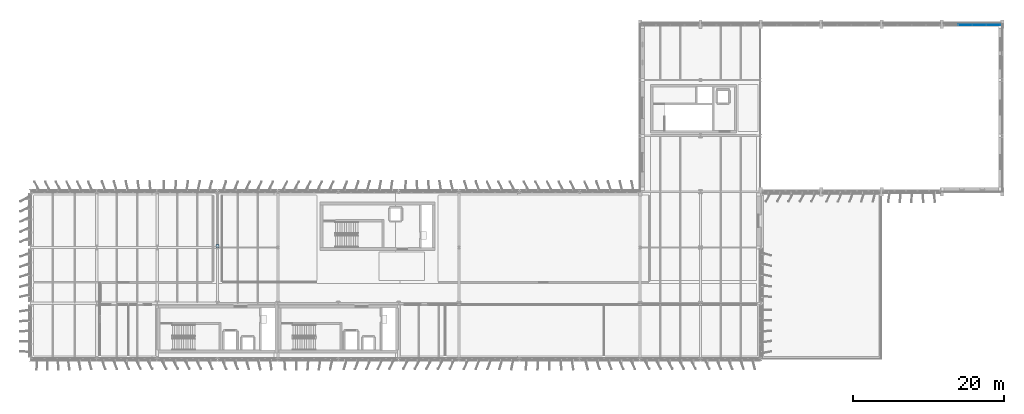
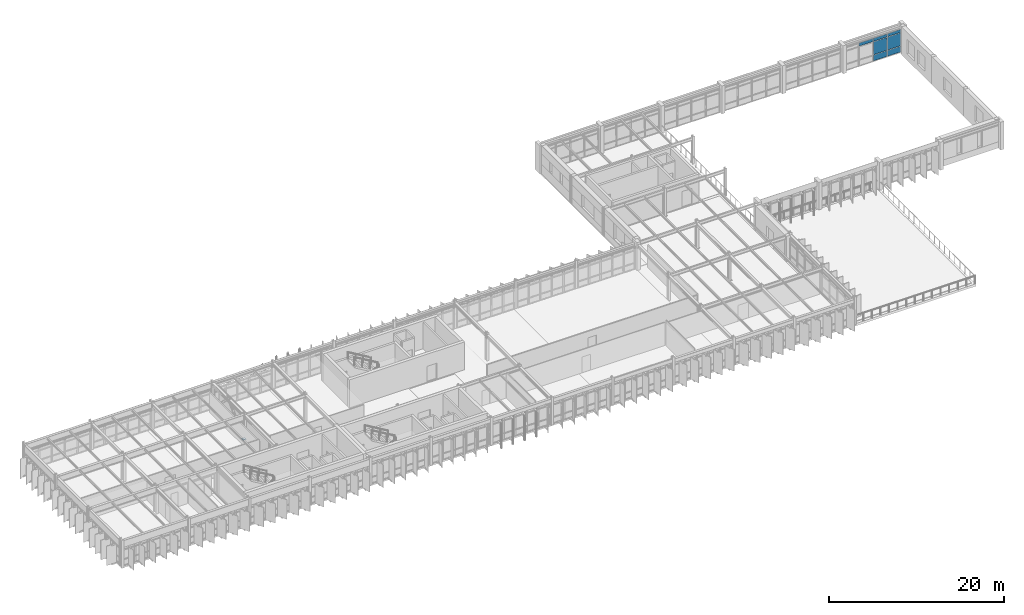
# One storey, part 31 of 45: 8 plates, 1 element without a shape of its own.
"""IFC4 building model written with IfcOpenShell, lengths in metres."""

from ifc_helpers import new_model, si_unit, direction, frame, origin, origin_2d, place, context, subcontext, project, spatial, rectangle, extrude, material, layer, layer_set, type_object, element, aggregate, save


model = new_model("IFC4")

# Units and contexts
model_context = context("Model", 3, precision=1e-05, world=origin(), true_north=direction((0.0, 1.0)))
body_context = subcontext(model_context, "Body", "Model", "MODEL_VIEW")
ifc_project = project(units=[si_unit("LENGTHUNIT", "METRE"), si_unit("AREAUNIT", "SQUARE_METRE"), si_unit("VOLUMEUNIT", "CUBIC_METRE"), si_unit("PLANEANGLEUNIT", "RADIAN"), si_unit("MASSUNIT", "GRAM", prefix="KILO")], contexts=[model_context])

# Site, building, storey
site_placement = place(None, origin())
site = spatial("IfcSite", under=ifc_project, at=site_placement, CompositionType="ELEMENT")
building_placement = place(site_placement, origin())
building = spatial("IfcBuilding", under=site, at=building_placement, Name="Valkorina Park Police Headquarters", CompositionType="ELEMENT")
storey_placement = place(building_placement, frame((0.0, 0.0, 23.300048828125)))
storey = spatial("IfcBuildingStorey", under=building, at=storey_placement, Name="L06", CompositionType="ELEMENT", Elevation=23.300048828125)

# Curtain wall, plates
ifc_material_1 = material(Name="Thermally broken aluminium AW-6060", Category="aluminium")
ifc_layer_1 = layer(ifc_material_1, 0.18994140625)
ifc_layer_set_1 = layer_set([ifc_layer_1], Name="Thermally broken aluminium AW-6060")
curtain_wall_type = type_object("IfcCurtainWallType", Name="CW-CMD-7530x3280", PredefinedType="NOTDEFINED", material=ifc_layer_set_1)
curtain_wall_placement = place(storey_placement, origin())
curtain_wall = element("IfcCurtainWall", 1, at=curtain_wall_placement, inside=storey, type_object=curtain_wall_type, Name="L06 Unitised Curtain Wall 115", PredefinedType="NOTDEFINED")
ifc_layer_2 = layer(ifc_material_1, 0.050048828125)
ifc_layer_set_2 = layer_set([ifc_layer_2], Name="Thermally broken aluminium AW-6060")
plate_type_1 = type_object("IfcPlateType", Name="PL-CWP-SPANDREL-50", PredefinedType="CURTAIN_PANEL", material=ifc_layer_set_2)
plate_1_placement = place(storey_placement, frame((125.7412109375, 81.280029296875, 0.059814453125), z_axis=(0.0, 0.0, 1.0), x_axis=(1.0, 0.0, 0.0)))
plate_1 = element("IfcPlate", 2, at=plate_1_placement, type_object=plate_type_1, Name="CW-CMD-753-328 panel 3.1", PredefinedType="CURTAIN_PANEL", context=body_context, shape_type="SweptSolid", body=[
    extrude(rectangle(XDim=1.822509765625, YDim=0.028076171875, at=origin_2d()), origin(), (0.0, 0.0, 1.0), 0.81005859375),
])
plate_2_placement = place(storey_placement, frame((127.608642578125, 81.280029296875, 0.059814453125), z_axis=(0.0, 0.0, 1.0), x_axis=(1.0, 0.0, 0.0)))
plate_2 = element("IfcPlate", 3, at=plate_2_placement, type_object=plate_type_1, Name="CW-CMD-753-328 panel 4.1", PredefinedType="CURTAIN_PANEL", context=body_context, shape_type="SweptSolid", body=[
    extrude(rectangle(XDim=1.79248046875, YDim=0.028076171875, at=origin_2d()), origin(), (0.0, 0.0, 1.0), 0.81005859375),
])
ifc_material_2 = material(Name="Triple low-E insulated glazing", Category="glass")
ifc_layer_3 = layer(ifc_material_2, 0.028076171875)
ifc_layer_set_3 = layer_set([ifc_layer_3], Name="Triple low-E insulated glazing")
plate_type_2 = type_object("IfcPlateType", Name="PL-CWP-VISION-28", PredefinedType="CURTAIN_PANEL", material=ifc_layer_set_3)
plate_3_placement = place(storey_placement, frame((123.858642578125, 81.280029296875, 2.7900390625), z_axis=(0.0, 0.0, 1.0), x_axis=(1.0, 0.0, 0.0)))
plate_3 = element("IfcPlate", 4, at=plate_3_placement, type_object=plate_type_2, Name="CW-CMD-753-328 panel 2.3", PredefinedType="CURTAIN_PANEL", context=body_context, shape_type="SweptSolid", body=[
    extrude(rectangle(XDim=1.822509765625, YDim=0.028076171875, at=origin_2d()), origin(), (0.0, 0.0, 1.0), 0.429931640625),
])
plate_4_placement = place(storey_placement, frame((125.7412109375, 81.280029296875, 0.9296875), z_axis=(0.0, 0.0, 1.0), x_axis=(1.0, 0.0, 0.0)))
plate_4 = element("IfcPlate", 5, at=plate_4_placement, type_object=plate_type_2, Name="CW-CMD-753-328 panel 3.2", PredefinedType="CURTAIN_PANEL", context=body_context, shape_type="SweptSolid", body=[
    extrude(rectangle(XDim=1.822509765625, YDim=0.028076171875, at=origin_2d()), origin(), (0.0, 0.0, 1.0), 1.800048828125),
])
plate_5_placement = place(storey_placement, frame((125.7412109375, 81.280029296875, 2.7900390625), z_axis=(0.0, 0.0, 1.0), x_axis=(1.0, 0.0, 0.0)))
plate_5 = element("IfcPlate", 6, at=plate_5_placement, type_object=plate_type_2, Name="CW-CMD-753-328 panel 3.3", PredefinedType="CURTAIN_PANEL", context=body_context, shape_type="SweptSolid", body=[
    extrude(rectangle(XDim=1.822509765625, YDim=0.028076171875, at=origin_2d()), origin(), (0.0, 0.0, 1.0), 0.429931640625),
])
plate_6_placement = place(storey_placement, frame((127.608642578125, 81.280029296875, 0.9296875), z_axis=(0.0, 0.0, 1.0), x_axis=(1.0, 0.0, 0.0)))
plate_6 = element("IfcPlate", 7, at=plate_6_placement, type_object=plate_type_2, Name="CW-CMD-753-328 panel 4.2", PredefinedType="CURTAIN_PANEL", context=body_context, shape_type="SweptSolid", body=[
    extrude(rectangle(XDim=1.79248046875, YDim=0.028076171875, at=origin_2d()), origin(), (0.0, 0.0, 1.0), 1.800048828125),
])
plate_7_placement = place(storey_placement, frame((127.608642578125, 81.280029296875, 2.7900390625), z_axis=(0.0, 0.0, 1.0), x_axis=(1.0, 0.0, 0.0)))
plate_7 = element("IfcPlate", 8, at=plate_7_placement, type_object=plate_type_2, Name="CW-CMD-753-328 panel 4.3", PredefinedType="CURTAIN_PANEL", context=body_context, shape_type="SweptSolid", body=[
    extrude(rectangle(XDim=1.79248046875, YDim=0.028076171875, at=origin_2d()), origin(), (0.0, 0.0, 1.0), 0.429931640625),
])
aggregate(curtain_wall, [plate_3, plate_1, plate_4, plate_5, plate_2, plate_6, plate_7])

# Plate
ifc_material_3 = material(Name="Steel S355", Category="steel")
ifc_layer_4 = layer(ifc_material_3, 0.02001953125)
ifc_layer_set_4 = layer_set([ifc_layer_4], Name="Steel S355")
plate_type_3 = type_object("IfcPlateType", Name="PL-ENDCAP-20", PredefinedType="USERDEFINED", material=ifc_layer_set_4)
plate_8_placement = place(storey_placement, frame((24.800048828125, 51.97998046875, 0.08984375), z_axis=(0.0, 0.0, 1.0), x_axis=(1.0, 0.0, 0.0)))
element("IfcPlate", 9, at=plate_8_placement, inside=storey, type_object=plate_type_3, Name="Brace Base End Cap Plate 211", ObjectType="END CAP PLATE", PredefinedType="USERDEFINED", context=body_context, shape_type="SweptSolid", body=[
    extrude(rectangle(XDim=0.3798828125, YDim=0.3798828125, at=origin_2d()), origin(), (0.0, 0.0, 1.0), 0.02001953125),
])

save(model, "model.ifc")
